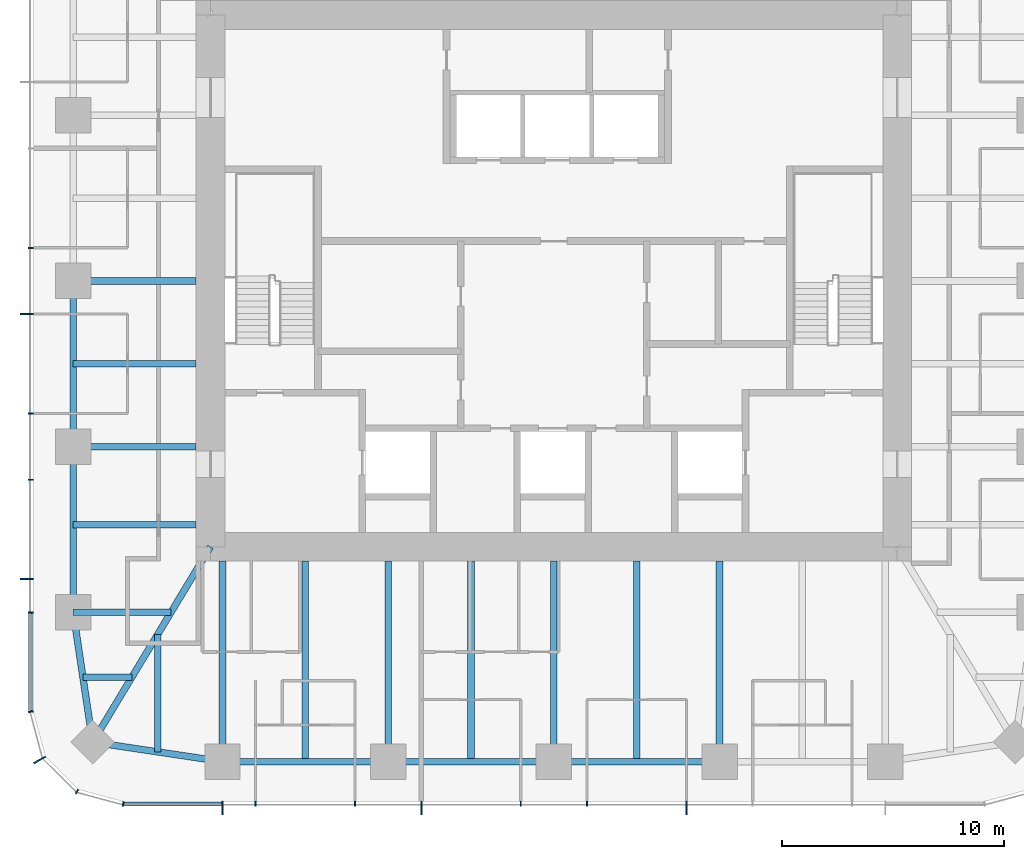
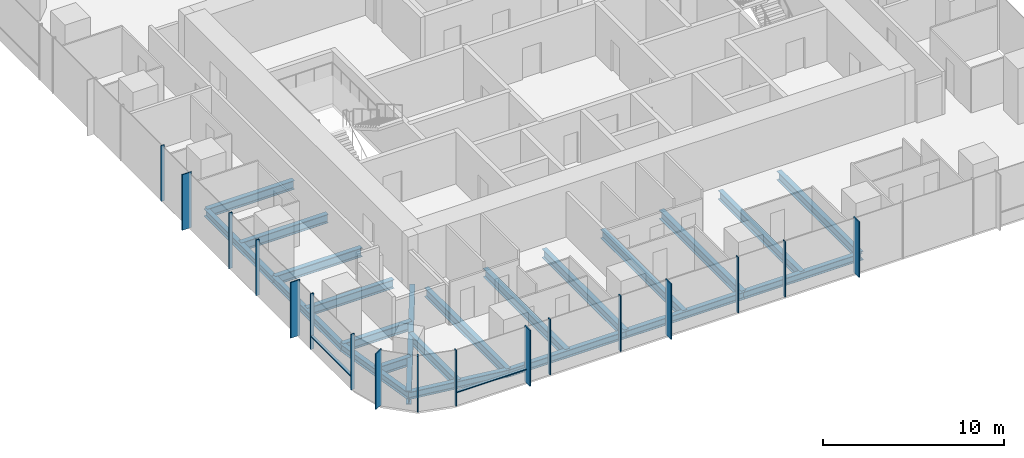
# One storey, part 2 of 12: 22 beams, 19 members, 3 elements without a shape of their own.
"""IFC4 building model written with IfcOpenShell, lengths in metres."""

from ifc_helpers import new_model, si_unit, direction, frame, origin, origin_2d, place, context, subcontext, project, spatial, rectangle, i_section, extrude, material, material_profile, profile_set, type_object, element, aggregate, save


model = new_model("IFC4")

# Units and contexts
model_context = context("Model", 3, precision=1e-05, world=origin(), true_north=direction((0.0, 1.0)))
body_context = subcontext(model_context, "Body", "Model", "MODEL_VIEW")
ifc_project = project(units=[si_unit("LENGTHUNIT", "METRE"), si_unit("AREAUNIT", "SQUARE_METRE"), si_unit("VOLUMEUNIT", "CUBIC_METRE"), si_unit("PLANEANGLEUNIT", "RADIAN"), si_unit("MASSUNIT", "GRAM", prefix="KILO")], contexts=[model_context])

# Site, building, storey
site_placement = place(None, origin())
site = spatial("IfcSite", under=ifc_project, at=site_placement, CompositionType="ELEMENT")
building_placement = place(site_placement, origin())
building = spatial("IfcBuilding", under=site, at=building_placement, Name="Khuree Lantern Residences", CompositionType="ELEMENT")
storey_placement = place(building_placement, frame((0.0, 0.0, 308.25)))
storey = spatial("IfcBuildingStorey", under=building, at=storey_placement, Name="L77", CompositionType="ELEMENT", Elevation=308.25)

# Beams
ifc_material_1 = material(Name="Steel S355", Category="steel")
ifc_material_profile_1 = material_profile(ifc_material_1, i_section(OverallWidth=0.300048828125, OverallDepth=0.590087890625, WebThickness=0.012939453125, FlangeThickness=0.02490234375, FilletRadius=0.027099609375, at=origin_2d()), Name="HE 600 A")
ifc_profile_set_1 = profile_set([ifc_material_profile_1], Name="Steel S355")
beam_type_1 = type_object("IfcBeamType", Name="B-42 SECONDARY BEAM HE 600 A", PredefinedType="BEAM", material=ifc_profile_set_1)
for number, where, z_axis, x_axis, name in (
    (1, (3.739990234375, -21.699951171875, -0.544921875), (0.0, 1.0, 0.0), (-1.0, 0.0, 0.0), "Secondary beam S3"),
    (2, (-3.739990234375, -21.699951171875, -0.544921875), (0.0, 1.0, 0.0), (-1.0, 0.0, 0.0), "Secondary beam S4"),
    (3, (-11.219970703125, -21.699951171875, -0.544921875), (0.0, 1.0, 0.0), (-1.0, 0.0, 0.0), "Secondary beam S5"),
):
    element("IfcBeam", number, at=place(storey_placement, frame(where, z_axis=z_axis, x_axis=x_axis)), inside=storey, type_object=beam_type_1, Name=name, PredefinedType="BEAM", context=body_context, shape_type="SweptSolid", body=[
        extrude(i_section(OverallWidth=0.300048828125, OverallDepth=0.590087890625, WebThickness=0.012939453125, FlangeThickness=0.02490234375, FilletRadius=0.027099609375, at=origin_2d()), origin(), (0.0, 0.0, 1.0), 9.050048828125),
    ])
beam_1_placement = place(storey_placement, frame((-17.890625, -21.2607421875, -0.544921875), z_axis=(0.0, 1.0, 0.0), x_axis=(-1.0, 0.0, 0.0)))
element("IfcBeam", 4, at=beam_1_placement, inside=storey, type_object=beam_type_1, Name="Secondary beam S6", PredefinedType="BEAM", context=body_context, shape_type="SweptSolid", body=[
    extrude(i_section(OverallWidth=0.300048828125, OverallDepth=0.590087890625, WebThickness=0.012939453125, FlangeThickness=0.02490234375, FilletRadius=0.027099609375, at=origin_2d()), origin(), (0.0, 0.0, 1.0), 5.297607421875),
])
beam_2_placement = place(storey_placement, frame((-21.2607421875, -17.890625, -0.544921875), z_axis=(1.0, 0.0, 0.0), x_axis=(0.0, 1.0, 0.0)))
element("IfcBeam", 5, at=beam_2_placement, inside=storey, type_object=beam_type_1, Name="Secondary beam W1", PredefinedType="BEAM", context=body_context, shape_type="SweptSolid", body=[
    extrude(i_section(OverallWidth=0.300048828125, OverallDepth=0.590087890625, WebThickness=0.012939453125, FlangeThickness=0.02490234375, FilletRadius=0.027099609375, at=origin_2d()), origin(), (0.0, 0.0, 1.0), 2.207275390625),
])
for number, where, z_axis, x_axis, name in (
    (6, (-21.699951171875, -11.0, -0.544921875), (1.0, 0.0, 0.0), (0.0, 1.0, 0.0), "Secondary beam W2"),
    (7, (-21.699951171875, -3.739990234375, -0.544921875), (1.0, 0.0, 0.0), (0.0, 1.0, 0.0), "Secondary beam W3"),
):
    element("IfcBeam", number, at=place(storey_placement, frame(where, z_axis=z_axis, x_axis=x_axis)), inside=storey, type_object=beam_type_1, Name=name, PredefinedType="BEAM", context=body_context, shape_type="SweptSolid", body=[
        extrude(i_section(OverallWidth=0.300048828125, OverallDepth=0.590087890625, WebThickness=0.012939453125, FlangeThickness=0.02490234375, FilletRadius=0.027099609375, at=origin_2d()), origin(), (0.0, 0.0, 1.0), 5.550048828125),
    ])
ifc_material_profile_2 = material_profile(ifc_material_1, i_section(OverallWidth=0.300048828125, OverallDepth=0.489990234375, WebThickness=0.011962890625, FlangeThickness=0.02294921875, FilletRadius=0.027099609375, at=origin_2d()), Name="HE 500 A")
ifc_profile_set_2 = profile_set([ifc_material_profile_2], Name="Steel S355")
beam_type_2 = type_object("IfcBeamType", Name="E-42 SPANDREL BEAM HE 500 A", PredefinedType="SPANDREL", material=ifc_profile_set_2)
for number, where, z_axis, x_axis, name in (
    (8, (7.47998046875, -21.699951171875, -0.4951171875), (-1.0, 0.0, 0.0), (0.0, -1.0, 0.0), "Spandrel beam S3"),
    (9, (0.0, -21.699951171875, -0.4951171875), (-1.0, 0.0, 0.0), (0.0, -1.0, 0.0), "Spandrel beam S4"),
    (10, (-7.47998046875, -21.699951171875, -0.4951171875), (-1.0, 0.0, 0.0), (0.0, -1.0, 0.0), "Spandrel beam S5"),
):
    element("IfcBeam", number, at=place(storey_placement, frame(where, z_axis=z_axis, x_axis=x_axis)), inside=storey, type_object=beam_type_2, Name=name, PredefinedType="SPANDREL", context=body_context, shape_type="SweptSolid", body=[
        extrude(i_section(OverallWidth=0.300048828125, OverallDepth=0.489990234375, WebThickness=0.011962890625, FlangeThickness=0.02294921875, FilletRadius=0.027099609375, at=origin_2d()), origin(), (0.0, 0.0, 1.0), 7.47998046875),
    ])
for number, where, z_axis, x_axis, name in (
    (11, (-14.9599609375, -21.699951171875, -0.4951171875), (-0.988949643299, 0.148251822985, 0.0), (-0.148251822985, -0.988949643299, 0.0), "Spandrel beam S6"),
    (12, (-20.8212890625, -20.8212890625, -0.4951171875), (-0.148251822985, 0.988949643299, 0.0), (-0.988949643299, -0.148251822985, 0.0), "Spandrel beam W1"),
):
    element("IfcBeam", number, at=place(storey_placement, frame(where, z_axis=z_axis, x_axis=x_axis)), inside=storey, type_object=beam_type_2, Name=name, PredefinedType="SPANDREL", context=body_context, shape_type="SweptSolid", body=[
        extrude(i_section(OverallWidth=0.300048828125, OverallDepth=0.489990234375, WebThickness=0.011962890625, FlangeThickness=0.02294921875, FilletRadius=0.027099609375, at=origin_2d()), origin(), (0.0, 0.0, 1.0), 5.9267578125),
    ])
for number, where, z_axis, x_axis, name in (
    (13, (-21.699951171875, -14.9599609375, -0.4951171875), (0.0, 1.0, 0.0), (-1.0, 0.0, 0.0), "Spandrel beam W2"),
    (14, (-21.699951171875, -7.47998046875, -0.4951171875), (0.0, 1.0, 0.0), (-1.0, 0.0, 0.0), "Spandrel beam W3"),
):
    element("IfcBeam", number, at=place(storey_placement, frame(where, z_axis=z_axis, x_axis=x_axis)), inside=storey, type_object=beam_type_2, Name=name, PredefinedType="SPANDREL", context=body_context, shape_type="SweptSolid", body=[
        extrude(i_section(OverallWidth=0.300048828125, OverallDepth=0.489990234375, WebThickness=0.011962890625, FlangeThickness=0.02294921875, FilletRadius=0.027099609375, at=origin_2d()), origin(), (0.0, 0.0, 1.0), 7.47998046875),
    ])

# Curtain wall, members
ifc_material_2 = material(Name="Bronze anodised aluminium", Category="aluminium")
curtain_wall_type_1 = type_object("IfcCurtainWallType", Name="CW-T1 TOWER FACE CURTAIN WALL", PredefinedType="USERDEFINED", material=ifc_material_2)
curtain_wall_1_placement = place(storey_placement, origin())
curtain_wall_1 = element("IfcCurtainWall", 15, at=curtain_wall_1_placement, inside=storey, type_object=curtain_wall_type_1, Name="L77 WEST FACE CURTAIN WALL", ObjectType="Stick-built curtain wall", PredefinedType="USERDEFINED")
ifc_material_profile_3 = material_profile(ifc_material_2, rectangle(XDim=0.06494140625, YDim=0.60009765625, at=origin_2d()), Name="F1 65X600")
ifc_profile_set_3 = profile_set([ifc_material_profile_3], Name="Bronze anodised aluminium")
member_type_1 = type_object("IfcMemberType", Name="F1 BRONZE FIN MULLION TOWER 65X600", PredefinedType="MULLION", material=ifc_profile_set_3)
member_1_placement = place(storey_placement, frame((-23.800048828125, -1.49609375, 0.0), z_axis=(0.0, 0.0, 1.0), x_axis=(0.0, -1.0, 0.0)))
member_1 = element("IfcMember", 16, at=member_1_placement, type_object=member_type_1, Name="L77 WEST FACE FIN MULLION 38", PredefinedType="MULLION", context=body_context, shape_type="SweptSolid", body=[
    extrude(rectangle(XDim=0.06494140625, YDim=0.60009765625, at=origin_2d()), origin(), (0.0, 0.0, 1.0), 3.75),
])
member_2_placement = place(storey_placement, frame((-23.800048828125, -13.464111328125, 0.0), z_axis=(0.0, 0.0, 1.0), x_axis=(0.0, -1.0, 0.0)))
member_2 = element("IfcMember", 17, at=member_2_placement, type_object=member_type_1, Name="L77 WEST FACE FIN MULLION 41", PredefinedType="MULLION", context=body_context, shape_type="SweptSolid", body=[
    extrude(rectangle(XDim=0.06494140625, YDim=0.60009765625, at=origin_2d()), origin(), (0.0, 0.0, 1.0), 3.75),
])

# Curtain wall, member
curtain_wall_type_2 = type_object("IfcCurtainWallType", Name="CW-T2 TOWER CORNER CURTAIN WALL", PredefinedType="USERDEFINED", material=ifc_material_2)
curtain_wall_2_placement = place(storey_placement, origin())
curtain_wall_2 = element("IfcCurtainWall", 18, at=curtain_wall_2_placement, inside=storey, type_object=curtain_wall_type_2, Name="L77 SOUTH-WEST CORNER CURTAIN WALL", ObjectType="Faceted corner curtain wall", PredefinedType="USERDEFINED")
member_3_placement = place(storey_placement, frame((-23.21728515625, -21.625, 0.0), z_axis=(0.0, 0.0, 1.0), x_axis=(0.49999994149, -0.866025437565, 0.0)))
member_3 = element("IfcMember", 19, at=member_3_placement, type_object=member_type_1, Name="L77 SOUTH-WEST CORNER FIN MULLION 44", PredefinedType="MULLION", context=body_context, shape_type="SweptSolid", body=[
    extrude(rectangle(XDim=0.06494140625, YDim=0.60009765625, at=origin_2d()), origin(), (0.0, 0.0, 1.0), 3.75),
])

# Curtain wall, members
curtain_wall_3_placement = place(storey_placement, origin())
curtain_wall_3 = element("IfcCurtainWall", 20, at=curtain_wall_3_placement, inside=storey, type_object=curtain_wall_type_1, Name="L77 SOUTH FACE CURTAIN WALL", ObjectType="Stick-built curtain wall", PredefinedType="USERDEFINED")
member_4_placement = place(storey_placement, frame((-14.9599609375, -23.800048828125, 0.0), z_axis=(0.0, 0.0, 1.0), x_axis=(1.0, 0.0, 0.0)))
member_4 = element("IfcMember", 21, at=member_4_placement, type_object=member_type_1, Name="L77 SOUTH FACE FIN MULLION 47", PredefinedType="MULLION", context=body_context, shape_type="SweptSolid", body=[
    extrude(rectangle(XDim=0.06494140625, YDim=0.60009765625, at=origin_2d()), origin(), (0.0, 0.0, 1.0), 3.75),
])
member_5_placement = place(storey_placement, frame((-5.98388671875, -23.800048828125, 0.0), z_axis=(0.0, 0.0, 1.0), x_axis=(1.0, 0.0, 0.0)))
member_5 = element("IfcMember", 22, at=member_5_placement, type_object=member_type_1, Name="L77 SOUTH FACE FIN MULLION 50", PredefinedType="MULLION", context=body_context, shape_type="SweptSolid", body=[
    extrude(rectangle(XDim=0.06494140625, YDim=0.60009765625, at=origin_2d()), origin(), (0.0, 0.0, 1.0), 3.75),
])
member_6_placement = place(storey_placement, frame((5.98388671875, -23.800048828125, 0.0), z_axis=(0.0, 0.0, 1.0), x_axis=(1.0, 0.0, 0.0)))
member_6 = element("IfcMember", 23, at=member_6_placement, type_object=member_type_1, Name="L77 SOUTH FACE FIN MULLION 53", PredefinedType="MULLION", context=body_context, shape_type="SweptSolid", body=[
    extrude(rectangle(XDim=0.06494140625, YDim=0.60009765625, at=origin_2d()), origin(), (0.0, 0.0, 1.0), 3.75),
])

# Beams
ifc_material_profile_4 = material_profile(ifc_material_1, i_section(OverallWidth=0.300048828125, OverallDepth=0.60009765625, WebThickness=0.015380859375, FlangeThickness=0.030029296875, FilletRadius=0.027099609375, at=origin_2d()), Name="HE 600 B")
ifc_profile_set_4 = profile_set([ifc_material_profile_4], Name="Steel S355")
beam_type_3 = type_object("IfcBeamType", Name="G-42 GIRDER HE 600 B", PredefinedType="BEAM", material=ifc_profile_set_4)
for number, where, z_axis, x_axis, name in (
    (24, (7.47998046875, -21.699951171875, -0.550048828125), (0.0, 1.0, 0.0), (-1.0, 0.0, 0.0), "Girder S2"),
    (25, (0.0, -21.699951171875, -0.550048828125), (0.0, 1.0, 0.0), (-1.0, 0.0, 0.0), "Girder S3"),
    (26, (-7.47998046875, -21.699951171875, -0.550048828125), (0.0, 1.0, 0.0), (-1.0, 0.0, 0.0), "Girder S4"),
    (27, (-14.9599609375, -21.699951171875, -0.550048828125), (0.0, 1.0, 0.0), (-1.0, 0.0, 0.0), "Girder S5"),
):
    element("IfcBeam", number, at=place(storey_placement, frame(where, z_axis=z_axis, x_axis=x_axis)), inside=storey, type_object=beam_type_3, Name=name, PredefinedType="BEAM", context=body_context, shape_type="SweptSolid", body=[
        extrude(i_section(OverallWidth=0.300048828125, OverallDepth=0.60009765625, WebThickness=0.015380859375, FlangeThickness=0.030029296875, FilletRadius=0.027099609375, at=origin_2d()), origin(), (0.0, 0.0, 1.0), 9.050048828125),
    ])
beam_3_placement = place(storey_placement, frame((-21.699951171875, -14.9599609375, -0.550048828125), z_axis=(1.0, 0.0, 0.0), x_axis=(0.0, 1.0, 0.0)))
element("IfcBeam", 28, at=beam_3_placement, inside=storey, type_object=beam_type_3, Name="Girder W1", PredefinedType="BEAM", context=body_context, shape_type="SweptSolid", body=[
    extrude(i_section(OverallWidth=0.300048828125, OverallDepth=0.60009765625, WebThickness=0.015380859375, FlangeThickness=0.030029296875, FilletRadius=0.027099609375, at=origin_2d()), origin(), (0.0, 0.0, 1.0), 4.414306640625),
])
for number, where, z_axis, x_axis, name in (
    (29, (-21.699951171875, -7.47998046875, -0.550048828125), (1.0, 0.0, 0.0), (0.0, 1.0, 0.0), "Girder W2"),
    (30, (-21.699951171875, 0.0, -0.550048828125), (1.0, 0.0, 0.0), (0.0, 1.0, 0.0), "Girder W3"),
):
    element("IfcBeam", number, at=place(storey_placement, frame(where, z_axis=z_axis, x_axis=x_axis)), inside=storey, type_object=beam_type_3, Name=name, PredefinedType="BEAM", context=body_context, shape_type="SweptSolid", body=[
        extrude(i_section(OverallWidth=0.300048828125, OverallDepth=0.60009765625, WebThickness=0.015380859375, FlangeThickness=0.030029296875, FilletRadius=0.027099609375, at=origin_2d()), origin(), (0.0, 0.0, 1.0), 5.550048828125),
    ])
ifc_material_profile_5 = material_profile(ifc_material_1, i_section(OverallWidth=0.300048828125, OverallDepth=0.89990234375, WebThickness=0.0185546875, FlangeThickness=0.034912109375, FilletRadius=0.030029296875, at=origin_2d()), Name="HE 900 B")
ifc_profile_set_5 = profile_set([ifc_material_profile_5], Name="Steel S355")
beam_type_4 = type_object("IfcBeamType", Name="GD-42 CORNER GIRDER HE 900 B", PredefinedType="BEAM", material=ifc_profile_set_5)
beam_4_placement = place(storey_placement, frame((-20.8212890625, -20.8212890625, -0.699951171875), z_axis=(0.516529577604, 0.856269347495, 0.0), x_axis=(-0.856269347495, 0.516529577604, 0.0)))
element("IfcBeam", 31, at=beam_4_placement, inside=storey, type_object=beam_type_4, Name="Corner girder SW", PredefinedType="BEAM", context=body_context, shape_type="SweptSolid", body=[
    extrude(i_section(OverallWidth=0.300048828125, OverallDepth=0.89990234375, WebThickness=0.0185546875, FlangeThickness=0.034912109375, FilletRadius=0.030029296875, at=origin_2d()), origin(), (0.0, 0.0, 1.0), 10.302001953125),
])

# Member
ifc_material_profile_6 = material_profile(ifc_material_2, rectangle(XDim=0.06494140625, YDim=0.219970703125, at=origin_2d()), Name="M1 65X220")
ifc_profile_set_6 = profile_set([ifc_material_profile_6], Name="Bronze anodised aluminium")
member_type_2 = type_object("IfcMemberType", Name="M1 BRONZE MULLION TOWER 65X220", PredefinedType="MULLION", material=ifc_profile_set_6)
member_7_placement = place(storey_placement, frame((-23.610107421875, 1.49609375, 0.0), z_axis=(0.0, 0.0, 1.0), x_axis=(0.0, -1.0, 0.0)))
member_7 = element("IfcMember", 32, at=member_7_placement, type_object=member_type_2, Name="L77 WEST FACE MULLION 37", PredefinedType="MULLION", context=body_context, shape_type="SweptSolid", body=[
    extrude(rectangle(XDim=0.06494140625, YDim=0.219970703125, at=origin_2d()), origin(), (0.0, 0.0, 1.0), 3.75),
])

member_8_placement = place(storey_placement, frame((-23.610107421875, -5.98388671875, 0.0), z_axis=(0.0, 0.0, 1.0), x_axis=(0.0, -1.0, 0.0)))
member_8 = element("IfcMember", 33, at=member_8_placement, type_object=member_type_2, Name="L77 WEST FACE MULLION 39", PredefinedType="MULLION", context=body_context, shape_type="SweptSolid", body=[
    extrude(rectangle(XDim=0.06494140625, YDim=0.219970703125, at=origin_2d()), origin(), (0.0, 0.0, 1.0), 3.75),
])

member_9_placement = place(storey_placement, frame((-23.610107421875, -8.97607421875, 0.0), z_axis=(0.0, 0.0, 1.0), x_axis=(0.0, -1.0, 0.0)))
member_9 = element("IfcMember", 34, at=member_9_placement, type_object=member_type_2, Name="L77 WEST FACE MULLION 40", PredefinedType="MULLION", context=body_context, shape_type="SweptSolid", body=[
    extrude(rectangle(XDim=0.06494140625, YDim=0.219970703125, at=origin_2d()), origin(), (0.0, 0.0, 1.0), 3.75),
])

member_10_placement = place(storey_placement, frame((-23.610107421875, -14.9599609375, 0.0), z_axis=(0.0, 0.0, 1.0), x_axis=(0.0, -1.0, 0.0)))
member_10 = element("IfcMember", 35, at=member_10_placement, type_object=member_type_2, Name="L77 WEST FACE MULLION 42", PredefinedType="MULLION", context=body_context, shape_type="SweptSolid", body=[
    extrude(rectangle(XDim=0.06494140625, YDim=0.219970703125, at=origin_2d()), origin(), (0.0, 0.0, 1.0), 3.75),
])

member_11_placement = place(storey_placement, frame((-23.61181640625, -19.445068359375, 0.0), z_axis=(0.0, 0.0, 1.0), x_axis=(0.130526125236, -0.991444870192, 0.0)))
member_11 = element("IfcMember", 36, at=member_11_placement, type_object=member_type_2, Name="L77 SOUTH-WEST CORNER MULLION 43", PredefinedType="MULLION", context=body_context, shape_type="SweptSolid", body=[
    extrude(rectangle(XDim=0.06494140625, YDim=0.219970703125, at=origin_2d()), origin(), (0.0, 0.0, 1.0), 3.75),
])

member_12_placement = place(storey_placement, frame((-21.530029296875, -23.052734375, 0.0), z_axis=(0.0, 0.0, 1.0), x_axis=(0.866025437565, -0.49999994149, 0.0)))
member_12 = element("IfcMember", 37, at=member_12_placement, type_object=member_type_2, Name="L77 SOUTH-WEST CORNER MULLION 45", PredefinedType="MULLION", context=body_context, shape_type="SweptSolid", body=[
    extrude(rectangle(XDim=0.06494140625, YDim=0.219970703125, at=origin_2d()), origin(), (0.0, 0.0, 1.0), 3.75),
])

aggregate(curtain_wall_2, [member_11, member_3, member_12])

member_13_placement = place(storey_placement, frame((-19.445068359375, -23.61181640625, 0.0), z_axis=(0.0, 0.0, 1.0), x_axis=(0.991444870192, -0.130526125236, 0.0)))
member_13 = element("IfcMember", 38, at=member_13_placement, type_object=member_type_2, Name="L77 SOUTH FACE MULLION 46", PredefinedType="MULLION", context=body_context, shape_type="SweptSolid", body=[
    extrude(rectangle(XDim=0.06494140625, YDim=0.219970703125, at=origin_2d()), origin(), (0.0, 0.0, 1.0), 3.75),
])

member_14_placement = place(storey_placement, frame((-13.464111328125, -23.610107421875, 0.0), z_axis=(0.0, 0.0, 1.0), x_axis=(1.0, 0.0, 0.0)))
member_14 = element("IfcMember", 39, at=member_14_placement, type_object=member_type_2, Name="L77 SOUTH FACE MULLION 48", PredefinedType="MULLION", context=body_context, shape_type="SweptSolid", body=[
    extrude(rectangle(XDim=0.06494140625, YDim=0.219970703125, at=origin_2d()), origin(), (0.0, 0.0, 1.0), 3.75),
])

member_15_placement = place(storey_placement, frame((-8.97607421875, -23.610107421875, 0.0), z_axis=(0.0, 0.0, 1.0), x_axis=(1.0, 0.0, 0.0)))
member_15 = element("IfcMember", 40, at=member_15_placement, type_object=member_type_2, Name="L77 SOUTH FACE MULLION 49", PredefinedType="MULLION", context=body_context, shape_type="SweptSolid", body=[
    extrude(rectangle(XDim=0.06494140625, YDim=0.219970703125, at=origin_2d()), origin(), (0.0, 0.0, 1.0), 3.75),
])

member_16_placement = place(storey_placement, frame((-1.49609375, -23.610107421875, 0.0), z_axis=(0.0, 0.0, 1.0), x_axis=(1.0, 0.0, 0.0)))
member_16 = element("IfcMember", 41, at=member_16_placement, type_object=member_type_2, Name="L77 SOUTH FACE MULLION 51", PredefinedType="MULLION", context=body_context, shape_type="SweptSolid", body=[
    extrude(rectangle(XDim=0.06494140625, YDim=0.219970703125, at=origin_2d()), origin(), (0.0, 0.0, 1.0), 3.75),
])

member_17_placement = place(storey_placement, frame((1.49609375, -23.610107421875, 0.0), z_axis=(0.0, 0.0, 1.0), x_axis=(1.0, 0.0, 0.0)))
member_17 = element("IfcMember", 42, at=member_17_placement, type_object=member_type_2, Name="L77 SOUTH FACE MULLION 52", PredefinedType="MULLION", context=body_context, shape_type="SweptSolid", body=[
    extrude(rectangle(XDim=0.06494140625, YDim=0.219970703125, at=origin_2d()), origin(), (0.0, 0.0, 1.0), 3.75),
])

ifc_material_profile_7 = material_profile(ifc_material_2, rectangle(XDim=0.179931640625, YDim=0.06494140625, at=origin_2d()), Name="T1 180X65")
ifc_profile_set_7 = profile_set([ifc_material_profile_7], Name="Bronze anodised aluminium")
member_type_3 = type_object("IfcMemberType", Name="TRANSOM T1 TOWER 180X65", PredefinedType="USERDEFINED", material=ifc_profile_set_7)
member_18_placement = place(storey_placement, frame((-23.6201171875, -14.992431640625, 0.89990234375), z_axis=(0.0, -1.0, 0.0), x_axis=(1.0, 0.0, 0.0)))
member_18 = element("IfcMember", 43, at=member_18_placement, type_object=member_type_3, Name="L77 WEST FACE TRANSOM 42.1", ObjectType="Transom", PredefinedType="USERDEFINED", context=body_context, shape_type="SweptSolid", body=[
    extrude(rectangle(XDim=0.179931640625, YDim=0.06494140625, at=origin_2d()), origin(), (0.0, 0.0, 1.0), 4.408935546875),
])

aggregate(curtain_wall_1, [member_7, member_1, member_8, member_9, member_2, member_10, member_18])

member_19_placement = place(storey_placement, frame((-19.4013671875, -23.6201171875, 0.89990234375), z_axis=(1.0, 0.0, 0.0), x_axis=(0.0, 1.0, 0.0)))
member_19 = element("IfcMember", 44, at=member_19_placement, type_object=member_type_3, Name="L77 SOUTH FACE TRANSOM 46.1", ObjectType="Transom", PredefinedType="USERDEFINED", context=body_context, shape_type="SweptSolid", body=[
    extrude(rectangle(XDim=0.179931640625, YDim=0.06494140625, at=origin_2d()), origin(), (0.0, 0.0, 1.0), 4.408935546875),
])

aggregate(curtain_wall_3, [member_13, member_4, member_14, member_15, member_5, member_16, member_17, member_6, member_19])

save(model, "model.ifc")
